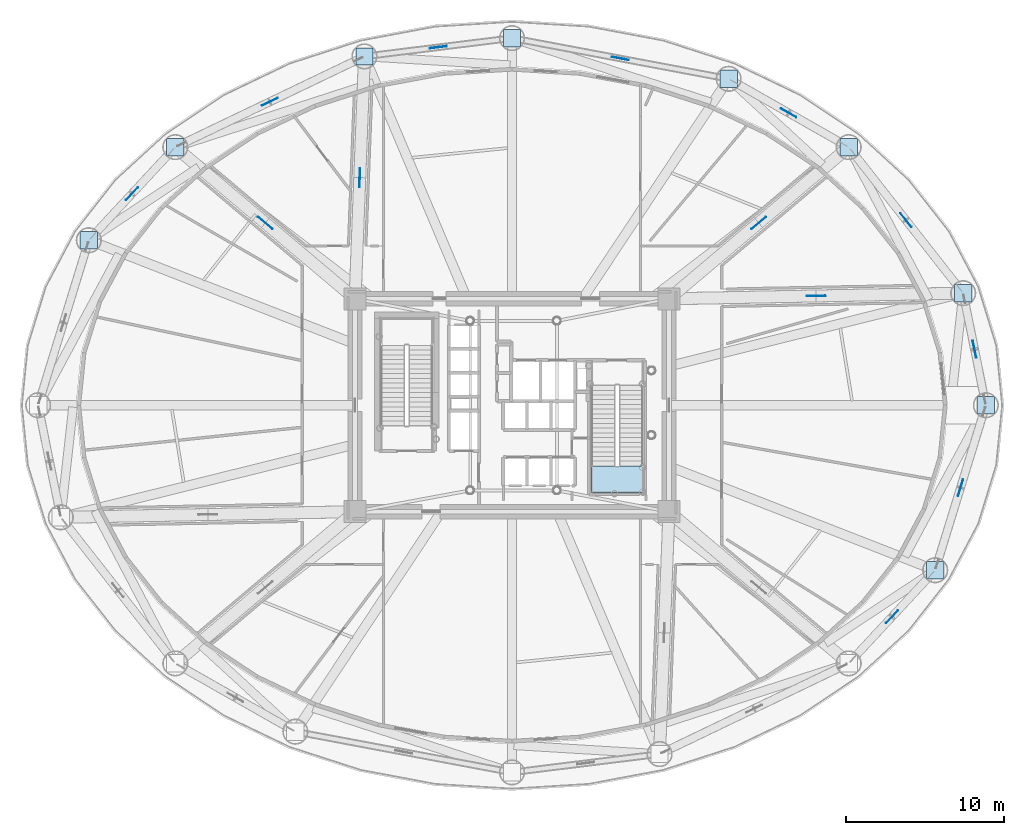
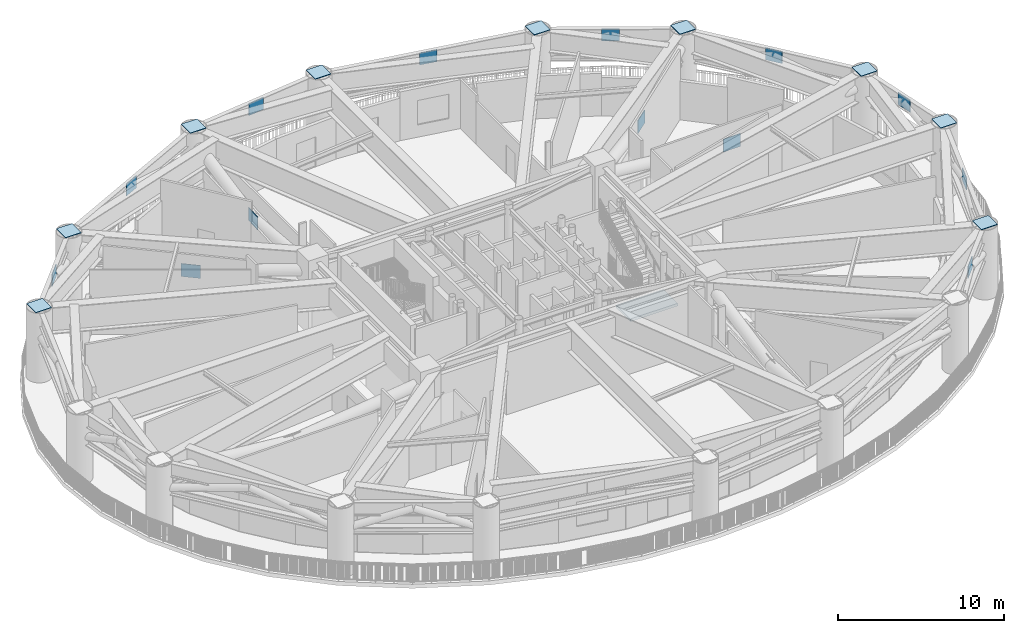
# One storey, part 7 of 22: 22 plates, 1 slab, 1 element without a shape of its own.
"""IFC4 building model written with IfcOpenShell, lengths in metres."""

from ifc_helpers import new_model, si_unit, direction, frame, origin, origin_2d, place, context, subcontext, project, spatial, polyline, rectangle, outline, extrude, source, transform, mapped, material, layer, layer_set, type_object, element, aggregate, save


model = new_model("IFC4")

# Units and contexts
model_context = context("Model", 3, precision=1e-05, world=origin(), true_north=direction((0.0, 1.0)))
body_context = subcontext(model_context, "Body", "Model", "MODEL_VIEW")
ifc_project = project(units=[si_unit("LENGTHUNIT", "METRE"), si_unit("AREAUNIT", "SQUARE_METRE"), si_unit("VOLUMEUNIT", "CUBIC_METRE"), si_unit("PLANEANGLEUNIT", "RADIAN"), si_unit("MASSUNIT", "GRAM", prefix="KILO")], contexts=[model_context])

# Site, building, storey
site_placement = place(None, origin())
site = spatial("IfcSite", under=ifc_project, at=site_placement, CompositionType="ELEMENT")
building_placement = place(site_placement, origin())
building = spatial("IfcBuilding", under=site, at=building_placement, Name="Linh Dai School and Residence Tower", CompositionType="ELEMENT")
storey_placement = place(building_placement, frame((0.0, 0.0, 87.0)))
storey = spatial("IfcBuildingStorey", under=building, at=storey_placement, Name="L20", CompositionType="ELEMENT", Elevation=87.0)

# Stair, slab
ifc_material_1 = material(Name="Concrete B45 (C35/45)", Category="concrete")
stair_type = type_object("IfcStairType", Name="ST-DOG-1550-R1500", PredefinedType="HALF_TURN_STAIR", material=ifc_material_1)
stair_placement = place(storey_placement, origin())
stair = element("IfcStair", 1, at=stair_placement, inside=storey, type_object=stair_type, Name="L20 Core Smokeproof Exit Stair ST2", PredefinedType="HALF_TURN_STAIR")
ifc_layer_1 = layer(ifc_material_1, 0.199951171875)
ifc_layer_set_1 = layer_set([ifc_layer_1], Name="Concrete B45 (C35/45)")
slab_type = type_object("IfcSlabType", Name="SLB-ST-LANDING-200", PredefinedType="LANDING", material=ifc_layer_set_1)
slab_placement = place(storey_placement, frame((0.0, 0.0, 2.5)))
slab = element("IfcSlab", 2, at=slab_placement, type_object=slab_type, Name="ST2 landing 1", PredefinedType="LANDING", context=body_context, shape_type="SweptSolid", body=[
    extrude(outline(polyline([(41.02001953125, 23.14990234375), (41.02001953125, 21.449951171875), (44.320068359375, 21.449951171875), (44.320068359375, 23.14990234375), (41.02001953125, 23.14990234375)])), origin(), (0.0, 0.0, 1.0), 0.199951171875),
])
aggregate(stair, [slab])

# Plates
ifc_material_2 = material(Name="Structural Steel S355JR", Category="steel")
ifc_layer_2 = layer(ifc_material_2, 0.0400390625)
ifc_layer_set_2 = layer_set([ifc_layer_2], Name="Structural Steel S355JR")
plate_type = type_object("IfcPlateType", Name="PLT-GP1", PredefinedType="USERDEFINED", material=ifc_layer_set_2)
shared_shape_1 = source(origin(), body_context, "Body", "SweptSolid", [
    extrude(rectangle(XDim=1.10009765625, YDim=1.10009765625, at=origin_2d()), origin(), (0.0, 0.0, 1.0), 0.0400390625),
])
for number, where, z_axis, x_axis, name in (
    (3, (66.050048828125, 27.0, 5.10009765625), (0.0, 0.0, 1.0), (1.0, 0.0, 0.0), "L20 MC01 Column Cap Plate"),
    (4, (64.61083984375, 34.108642578125, 5.10009765625), (0.0, 0.0, 1.0), (1.0, 0.0, 0.0), "L20 MC02 Column Cap Plate"),
    (5, (57.352783203125, 43.369140625, 5.10009765625), (0.0, 0.0, 1.0), (1.0, 0.0, 0.0), "L20 MC03 Column Cap Plate"),
    (6, (49.73828125, 47.69921875, 5.10009765625), (0.0, 0.0, 1.0), (1.0, 0.0, 0.0), "L20 MC04 Column Cap Plate"),
    (7, (36.0, 50.280029296875, 5.10009765625), (0.0, 0.0, 1.0), (1.0, 0.0, 0.0), "L20 MC05 Column Cap Plate"),
    (8, (26.642333984375, 49.119873046875, 5.10009765625), (0.0, 0.0, 1.0), (1.0, 0.0, 0.0), "L20 MC06 Column Cap Plate"),
    (9, (14.647216796875, 43.369140625, 5.10009765625), (0.0, 0.0, 1.0), (1.0, 0.0, 0.0), "L20 MC07 Column Cap Plate"),
    (10, (9.16455078125, 37.4638671875, 5.10009765625), (0.0, 0.0, 1.0), (1.0, 0.0, 0.0), "L20 MC08 Column Cap Plate"),
    (11, (62.83544921875, 16.5361328125, 5.10009765625), (0.0, 0.0, 1.0), (1.0, 0.0, 0.0), "L20 MC16 Column Cap Plate"),
):
    element("IfcPlate", number, at=place(storey_placement, frame(where, z_axis=z_axis, x_axis=x_axis)), inside=storey, type_object=plate_type, Name=name, ObjectType="GUSSET PLATE", PredefinedType="USERDEFINED", context=body_context, shape_type="MappedRepresentation", body=[
        mapped(shared_shape_1, transform((0.0, 0.0, 0.0), x_axis=(1.0, 0.0, 0.0), y_axis=(0.0, 1.0, 0.0), z_axis=(0.0, 0.0, 1.0), scale=1.0)),
    ])
shared_shape_2 = source(origin(), body_context, "Body", "SweptSolid", [
    extrude(rectangle(XDim=1.10009765625, YDim=0.0400390625, at=origin_2d()), origin(), (0.0, 0.0, 1.0), 0.89990234375),
])
for number, where, z_axis, x_axis, name in (
    (12, (65.330322265625, 30.55419921875, 4.150146484375), (0.0, 0.0, 1.0), (-0.198437329692, 0.980113578206, 0.0), "L20 Belt Truss BT2 Node Gusset Plate 01"),
    (13, (60.981689453125, 38.73876953125, 4.150146484375), (0.0, 0.0, 1.0), (-0.616865363532, 0.787068690315, 0.0), "L20 Belt Truss BT2 Node Gusset Plate 02"),
    (14, (53.545654296875, 45.5341796875, 4.150146484375), (0.0, 0.0, 1.0), (-0.869278262826, 0.494323074293, 0.0), "L20 Belt Truss BT2 Node Gusset Plate 03"),
    (15, (42.869140625, 48.989501953125, 4.150146484375), (0.0, 0.0, 1.0), (-0.982808663224, 0.184627006399, 0.0), "L20 Belt Truss BT2 Node Gusset Plate 04"),
    (16, (31.321044921875, 49.699951171875, 4.150146484375), (0.0, 0.0, 1.0), (-0.992401870919, -0.123038719909, 0.0), "L20 Belt Truss BT2 Node Gusset Plate 05"),
    (17, (20.644775390625, 46.244384765625, 4.150146484375), (0.0, 0.0, 1.0), (-0.901726332669, -0.432307322367, 0.0), "L20 Belt Truss BT2 Node Gusset Plate 06"),
    (18, (11.90576171875, 40.41650390625, 4.150146484375), (0.0, 0.0, 1.0), (-0.68039596357, -0.73284468529, 0.0), "L20 Belt Truss BT2 Node Gusset Plate 07"),
    (19, (60.09423828125, 13.58349609375, 4.150146484375), (0.0, 0.0, 1.0), (0.68039596357, 0.73284468529, 0.0), "L20 Belt Truss BT2 Node Gusset Plate 15"),
    (20, (64.44287109375, 21.76806640625, 4.150146484375), (0.0, 0.0, 1.0), (0.293657555286, 0.955910686321, 0.0), "L20 Belt Truss BT2 Node Gusset Plate 16"),
):
    element("IfcPlate", number, at=place(storey_placement, frame(where, z_axis=z_axis, x_axis=x_axis)), inside=storey, type_object=plate_type, Name=name, ObjectType="GUSSET PLATE", PredefinedType="USERDEFINED", context=body_context, shape_type="MappedRepresentation", body=[
        mapped(shared_shape_2, transform((0.0, 0.0, 0.0), x_axis=(1.0, 0.0, 0.0), y_axis=(0.0, 1.0, 0.0), z_axis=(0.0, 0.0, 1.0), scale=1.0)),
    ])
shared_shape_3 = source(origin(), body_context, "Body", "SweptSolid", [
    extrude(rectangle(XDim=1.199951171875, YDim=0.0400390625, at=origin_2d()), origin(), (0.0, 0.0, 1.0), 0.949951171875),
])
for number, where, z_axis, x_axis, name in (
    (21, (55.2802734375, 33.92919921875, 2.625), (0.0, 0.0, 1.0), (0.999815489244, 0.019209046524, 0.0), "L20 Outrigger Truss OT1 Node Gusset Plate 01"),
    (22, (51.6513671875, 38.5595703125, 2.625), (0.0, 0.0, 1.0), (0.764354395017, 0.644796370041, 0.0), "L20 Outrigger Truss OT1 Node Gusset Plate 02"),
    (23, (26.34619140625, 41.434814453125, 2.625), (0.0, 0.0, 1.0), (0.038502537167, 0.999258502407, 0.0), "L20 Outrigger Truss OT1 Node Gusset Plate 03"),
    (24, (20.3486328125, 38.5595703125, 2.625), (0.0, 0.0, 1.0), (-0.764354395017, 0.644796370041, 0.0), "L20 Outrigger Truss OT1 Node Gusset Plate 04"),
):
    element("IfcPlate", number, at=place(storey_placement, frame(where, z_axis=z_axis, x_axis=x_axis)), inside=storey, type_object=plate_type, Name=name, ObjectType="GUSSET PLATE", PredefinedType="USERDEFINED", context=body_context, shape_type="MappedRepresentation", body=[
        mapped(shared_shape_3, transform((0.0, 0.0, 0.0), x_axis=(1.0, 0.0, 0.0), y_axis=(0.0, 1.0, 0.0), z_axis=(0.0, 0.0, 1.0), scale=1.0)),
    ])

save(model, "model.ifc")
